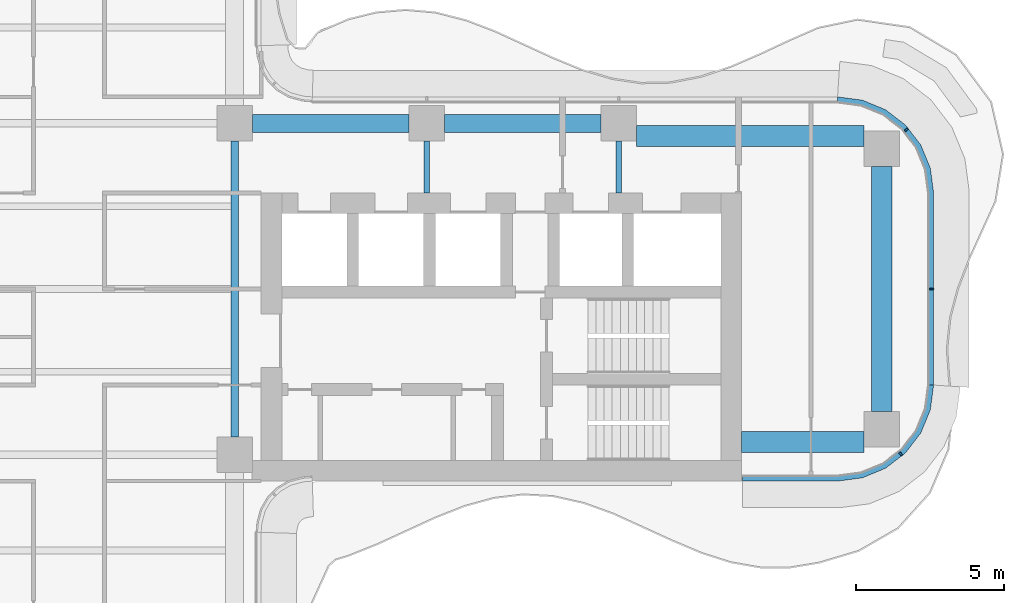
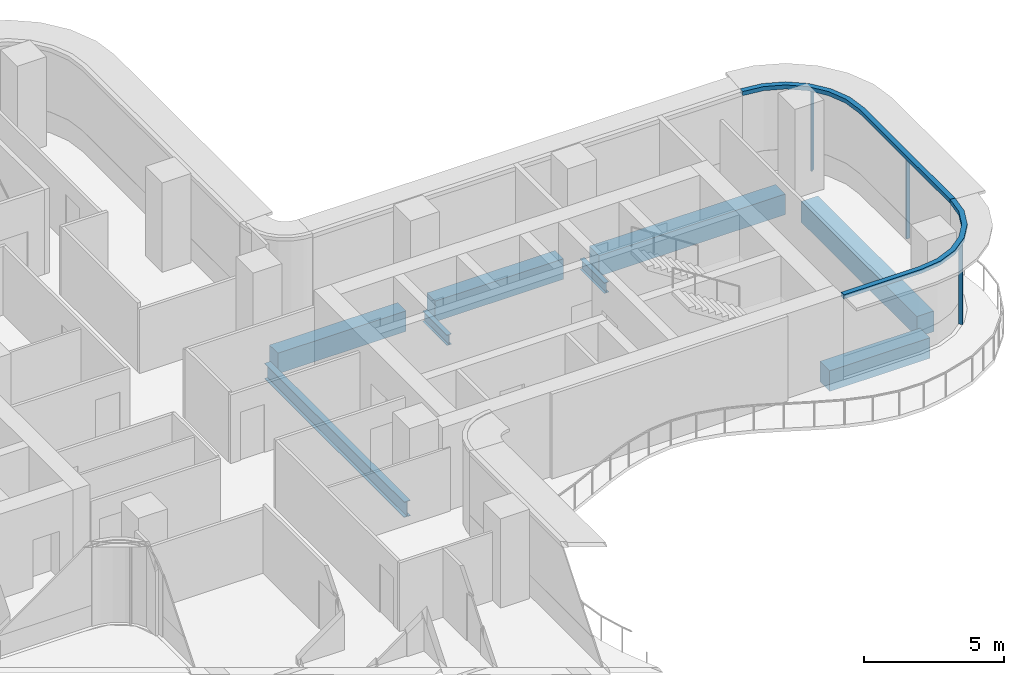
# One storey, part 6 of 18: 8 beams, 5 members, 2 elements without a shape of their own.
"""IFC4 building model written with IfcOpenShell, lengths in metres."""

from ifc_helpers import new_model, si_unit, direction, frame, origin, origin_2d, place, context, subcontext, project, spatial, polyline, rectangle, i_section, outline, extrude, source, transform, mapped, material, layer, layer_set, material_profile, profile_set, type_object, element, aggregate, save


model = new_model("IFC4")

# Units and contexts
model_context = context("Model", 3, precision=1e-05, world=origin(), true_north=direction((0.0, 1.0)))
body_context = subcontext(model_context, "Body", "Model", "MODEL_VIEW")
ifc_project = project(units=[si_unit("LENGTHUNIT", "METRE"), si_unit("AREAUNIT", "SQUARE_METRE"), si_unit("VOLUMEUNIT", "CUBIC_METRE"), si_unit("PLANEANGLEUNIT", "RADIAN"), si_unit("MASSUNIT", "GRAM", prefix="KILO")], contexts=[model_context])

# Site, building, storey
site_placement = place(None, origin())
site = spatial("IfcSite", under=ifc_project, at=site_placement, CompositionType="ELEMENT")
building_placement = place(site_placement, origin())
building = spatial("IfcBuilding", under=site, at=building_placement, Name="Trellis Farm Tower", CompositionType="ELEMENT")
storey_placement = place(building_placement, frame((0.0, 0.0, 204.89990234375)))
storey = spatial("IfcBuildingStorey", under=building, at=storey_placement, Name="L45", CompositionType="ELEMENT", Elevation=204.89990234375)

# Beams
ifc_material_1 = material(Name="Concrete C60/75", Category="concrete")
ifc_material_profile_1 = material_profile(ifc_material_1, rectangle(XDim=0.60009765625, YDim=0.89990234375, at=origin_2d()), Name="RC spandrel beam 600x900 C60/75")
ifc_profile_set_1 = profile_set([ifc_material_profile_1], Name="Concrete C60/75")
beam_type_1 = type_object("IfcBeamType", Name="RC spandrel beam 600x900 C60/75", PredefinedType="SPANDREL", material=ifc_profile_set_1)
shared_shape_1 = source(origin(), body_context, "Body", "SweptSolid", [
    extrude(rectangle(XDim=0.60009765625, YDim=0.89990234375, at=origin_2d()), origin(), (0.0, 0.0, 1.0), 5.300048828125),
])
for number, where, z_axis, x_axis, name in (
    (1, (6.199951171875, 5.60009765625, -0.64990234375), (1.0, 0.0, 0.0), (0.0, 1.0, 0.0), "Girder"),
    (2, (12.699951171875, 5.60009765625, -0.64990234375), (1.0, 0.0, 0.0), (0.0, 1.0, 0.0), "Girder"),
):
    element("IfcBeam", number, at=place(storey_placement, frame(where, z_axis=z_axis, x_axis=x_axis)), inside=storey, type_object=beam_type_1, Name=name, PredefinedType="SPANDREL", context=body_context, shape_type="MappedRepresentation", body=[
        mapped(shared_shape_1, transform((0.0, 0.0, 0.0))),
    ])
ifc_material_2 = material(Name="Steel S355", Category="steel")
ifc_material_profile_2 = material_profile(ifc_material_2, i_section(OverallWidth=0.253662109375, OverallDepth=0.68359375, WebThickness=0.012451171875, FlangeThickness=0.021728515625, FilletRadius=0.01513671875, at=origin_2d()), Name="UB 686x254x140")
ifc_profile_set_2 = profile_set([ifc_material_profile_2], Name="Steel S355")
beam_type_2 = type_object("IfcBeamType", Name="UB 686x254x140", PredefinedType="BEAM", material=ifc_profile_set_2)
shared_shape_2 = source(origin(), body_context, "Body", "SweptSolid", [
    extrude(i_section(OverallWidth=0.253662109375, OverallDepth=0.68359375, WebThickness=0.012451171875, FlangeThickness=0.021728515625, FilletRadius=0.01513671875, at=origin_2d()), origin(), (0.0, 0.0, 1.0), 10.0),
])
beam_1_placement = place(storey_placement, frame((5.60009765625, -5.0, -0.54150390625), z_axis=(0.0, 1.0, 0.0), x_axis=(-1.0, 0.0, 0.0)))
element("IfcBeam", 3, at=beam_1_placement, inside=storey, type_object=beam_type_2, Name="Girder", PredefinedType="BEAM", context=body_context, shape_type="MappedRepresentation", body=[
    mapped(shared_shape_2, transform((0.0, 0.0, 0.0))),
])
ifc_material_profile_3 = material_profile(ifc_material_1, rectangle(XDim=0.699951171875, YDim=0.89990234375, at=origin_2d()), Name="RC spandrel beam 700x900 C60/75")
ifc_profile_set_3 = profile_set([ifc_material_profile_3], Name="Concrete C60/75")
beam_type_3 = type_object("IfcBeamType", Name="RC spandrel beam 700x900 C60/75", PredefinedType="SPANDREL", material=ifc_profile_set_3)
shared_shape_3 = source(origin(), body_context, "Body", "SweptSolid", [
    extrude(rectangle(XDim=0.699951171875, YDim=0.89990234375, at=origin_2d()), origin(), (0.0, 0.0, 1.0), 8.2998046875),
])
beam_2_placement = place(storey_placement, frame((27.5, -4.14990234375, -0.64990234375), z_axis=(0.0, 1.0, 0.0), x_axis=(-1.0, 0.0, 0.0)))
element("IfcBeam", 4, at=beam_2_placement, inside=storey, type_object=beam_type_3, Name="Girder", PredefinedType="SPANDREL", context=body_context, shape_type="MappedRepresentation", body=[
    mapped(shared_shape_3, transform((0.0, 0.0, 0.0))),
])
ifc_material_profile_4 = material_profile(ifc_material_2, i_section(OverallWidth=0.1904296875, OverallDepth=0.45703125, WebThickness=0.009033203125, FlangeThickness=0.014404296875, FilletRadius=0.01025390625, at=origin_2d()), Name="UB 457x191x74")
ifc_profile_set_4 = profile_set([ifc_material_profile_4], Name="Steel S355")
beam_type_4 = type_object("IfcBeamType", Name="UB 457x191x74", PredefinedType="BEAM", material=ifc_profile_set_4)
shared_shape_4 = source(origin(), body_context, "Body", "SweptSolid", [
    extrude(i_section(OverallWidth=0.1904296875, OverallDepth=0.45703125, WebThickness=0.009033203125, FlangeThickness=0.014404296875, FilletRadius=0.01025390625, at=origin_2d()), origin(), (0.0, 0.0, 1.0), 1.75),
])
for number, where, z_axis, x_axis, name in (
    (5, (12.10009765625, 3.25, -0.428466796875), (0.0, 1.0, 0.0), (-1.0, 0.0, 0.0), "Girder"),
    (6, (18.60009765625, 3.25, -0.428466796875), (0.0, 1.0, 0.0), (-1.0, 0.0, 0.0), "Girder"),
):
    element("IfcBeam", number, at=place(storey_placement, frame(where, z_axis=z_axis, x_axis=x_axis)), inside=storey, type_object=beam_type_4, Name=name, PredefinedType="BEAM", context=body_context, shape_type="MappedRepresentation", body=[
        mapped(shared_shape_4, transform((0.0, 0.0, 0.0))),
    ])
shared_shape_5 = source(origin(), body_context, "Body", "SweptSolid", [
    extrude(rectangle(XDim=0.699951171875, YDim=0.89990234375, at=origin_2d()), origin(), (0.0, 0.0, 1.0), 7.699951171875),
])
beam_3_placement = place(storey_placement, frame((19.199951171875, 5.175048828125, -0.64990234375), z_axis=(1.0, 0.0, 0.0), x_axis=(0.0, 1.0, 0.0)))
element("IfcBeam", 7, at=beam_3_placement, inside=storey, type_object=beam_type_3, Name="Girder", PredefinedType="SPANDREL", context=body_context, shape_type="MappedRepresentation", body=[
    mapped(shared_shape_5, transform((0.0, 0.0, 0.0))),
])
shared_shape_6 = source(origin(), body_context, "Body", "SweptSolid", [
    extrude(rectangle(XDim=0.699951171875, YDim=0.89990234375, at=origin_2d()), origin(), (0.0, 0.0, 1.0), 4.14990234375),
])
beam_4_placement = place(storey_placement, frame((22.75, -5.175048828125, -0.64990234375), z_axis=(1.0, 0.0, 0.0), x_axis=(0.0, 1.0, 0.0)))
element("IfcBeam", 8, at=beam_4_placement, inside=storey, type_object=beam_type_3, Name="Girder", PredefinedType="SPANDREL", context=body_context, shape_type="MappedRepresentation", body=[
    mapped(shared_shape_6, transform((0.0, 0.0, 0.0))),
])

# Curtain wall, member
ifc_material_3 = material(Name="Aluminium and glass curtain wall", Category="aluminium")
ifc_layer_1 = layer(ifc_material_3, 0.18994140625)
ifc_layer_set_1 = layer_set([ifc_layer_1], Name="RIBBON CURTAIN WALL CW1")
curtain_wall_type = type_object("IfcCurtainWallType", Name="RIBBON CURTAIN WALL CW1", PredefinedType="NOTDEFINED", material=ifc_layer_set_1)
placement_1 = place(storey_placement, origin())
curtain_wall_1 = element("IfcCurtainWall", 9, at=placement_1, inside=storey, type_object=curtain_wall_type, Name="CW1 006", PredefinedType="NOTDEFINED")
ifc_material_4 = material(Name="Aluminium extrusion 6063-T6", Category="aluminium")
ifc_material_profile_5 = material_profile(ifc_material_4, rectangle(XDim=0.06005859375, YDim=0.14990234375, at=origin_2d()), Name="MULLION 60x150")
ifc_profile_set_5 = profile_set([ifc_material_profile_5], Name="Aluminium extrusion 6063-T6")
member_type_1 = type_object("IfcMemberType", Name="CW1 MULLION 60x150", PredefinedType="MULLION", material=ifc_profile_set_5)
shared_shape_7 = source(origin(), body_context, "Body", "SweptSolid", [
    extrude(rectangle(XDim=0.06005859375, YDim=0.14990234375, at=origin_2d()), origin(), (0.0, 0.0, 1.0), 3.52001953125),
])
member_1_placement = place(storey_placement, frame((28.135498046875, -5.578369140625, 0.0), z_axis=(0.0, 0.0, 1.0), x_axis=(0.793353340291, 0.608761429009, 0.0)))
member_1 = element("IfcMember", 10, at=member_1_placement, type_object=member_type_1, Name="MU1 006-01", PredefinedType="MULLION", context=body_context, shape_type="MappedRepresentation", body=[
    mapped(shared_shape_7, transform((0.0, 0.0, 0.0))),
])

# Curtain wall, members
curtain_wall_2 = element("IfcCurtainWall", 11, at=placement_1, inside=storey, type_object=curtain_wall_type, Name="CW1 007", PredefinedType="NOTDEFINED")
member_2_placement = place(storey_placement, frame((29.175048828125, 0.0, 0.0), z_axis=(0.0, 0.0, 1.0), x_axis=(0.0, 1.0, 0.0)))
member_2 = element("IfcMember", 12, at=member_2_placement, type_object=member_type_1, Name="MU1 007-01", PredefinedType="MULLION", context=body_context, shape_type="MappedRepresentation", body=[
    mapped(shared_shape_7, transform((0.0, 0.0, 0.0))),
])
member_3_placement = place(storey_placement, frame((28.328369140625, 5.385498046875, 0.0), z_axis=(0.0, 0.0, 1.0), x_axis=(-0.608761429009, 0.793353340291, 0.0)))
member_3 = element("IfcMember", 13, at=member_3_placement, type_object=member_type_1, Name="MU1 007-02", PredefinedType="MULLION", context=body_context, shape_type="MappedRepresentation", body=[
    mapped(shared_shape_7, transform((0.0, 0.0, 0.0))),
])

# Member
ifc_layer_2 = layer(ifc_material_4, 0.199951171875)
ifc_layer_set_2 = layer_set([ifc_layer_2], Name="Aluminium extrusion 6063-T6")
member_type_2 = type_object("IfcMemberType", Name="CW1 TRANSOM 200x180", PredefinedType="USERDEFINED", material=ifc_layer_set_2)
shared_shape_8 = source(origin(), body_context, "Body", "SweptSolid", [
    extrude(outline(polyline([(22.780029296875, -6.5), (26.0, -6.5), (26.841064453125, -6.38916015625), (27.625, -6.064697265625), (28.298095703125, -5.548095703125), (28.814697265625, -4.875), (29.13916015625, -4.091064453125), (29.25, -3.25), (29.050048828125, -3.23681640625), (28.9443359375, -4.0390625), (28.639892578125, -4.774169921875), (28.155517578125, -5.405517578125), (27.524169921875, -5.889892578125), (26.7890625, -6.1943359375), (25.98681640625, -6.300048828125), (22.780029296875, -6.300048828125), (22.780029296875, -6.5)])), origin(), (0.0, 0.0, 1.0), 0.18017578125),
])
placement_2 = place(storey_placement, frame((0.0, 0.0, 3.52001953125)))
member_4 = element("IfcMember", 14, at=placement_2, type_object=member_type_2, Name="TR1 006", ObjectType="TRANSOM", PredefinedType="USERDEFINED", context=body_context, shape_type="MappedRepresentation", body=[
    mapped(shared_shape_8, transform((0.0, 0.0, 0.0))),
])

aggregate(curtain_wall_1, [member_1, member_4])

shared_shape_9 = source(origin(), body_context, "Body", "SweptSolid", [
    extrude(outline(polyline([(29.25, -3.25), (29.25, 3.25), (29.13916015625, 4.091064453125), (28.814697265625, 4.875), (28.298095703125, 5.548095703125), (27.625, 6.064697265625), (26.841064453125, 6.38916015625), (26.0, 6.5), (25.98681640625, 6.300048828125), (26.7890625, 6.1943359375), (27.524169921875, 5.889892578125), (28.155517578125, 5.405517578125), (28.639892578125, 4.774169921875), (28.9443359375, 4.0390625), (29.050048828125, 3.23681640625), (29.050048828125, -3.23681640625), (29.25, -3.25)])), origin(), (0.0, 0.0, 1.0), 0.18017578125),
])
member_5 = element("IfcMember", 15, at=placement_2, type_object=member_type_2, Name="TR1 007", ObjectType="TRANSOM", PredefinedType="USERDEFINED", context=body_context, shape_type="MappedRepresentation", body=[
    mapped(shared_shape_9, transform((0.0, 0.0, 0.0))),
])

aggregate(curtain_wall_2, [member_2, member_3, member_5])

save(model, "model.ifc")
